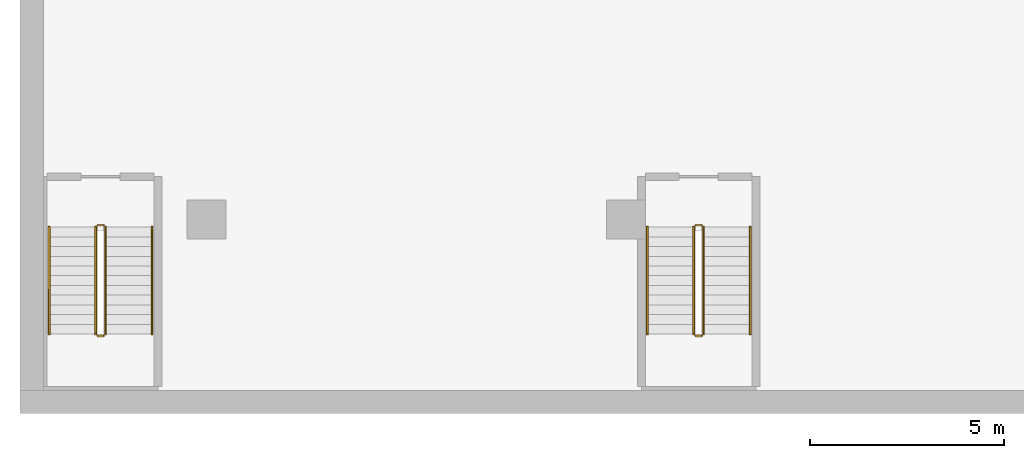
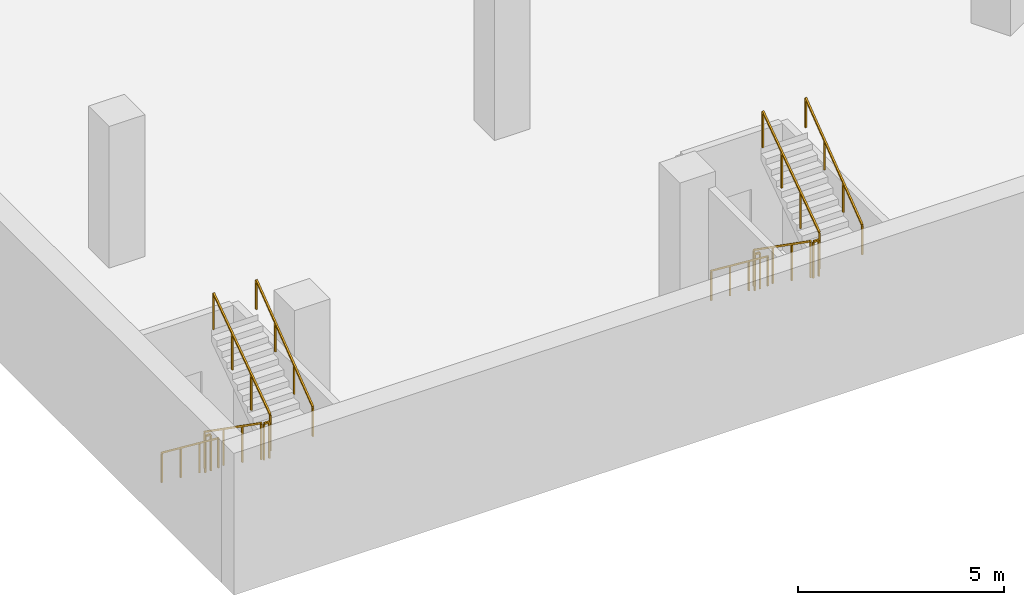
# One storey, part 15 of 20: 12 railings.
"""IFC4 building model written with IfcOpenShell, lengths in metres."""

from ifc_helpers import new_model, si_unit, direction, frame, origin, origin_2d, place, context, subcontext, project, spatial, rectangle, extrude, material, type_object, element, save


model = new_model("IFC4")

# Units and contexts
model_context = context("Model", 3, precision=1e-05, world=origin(), true_north=direction((0.0, 1.0)))
body_context = subcontext(model_context, "Body", "Model", "MODEL_VIEW")
ifc_project = project(units=[si_unit("LENGTHUNIT", "METRE"), si_unit("AREAUNIT", "SQUARE_METRE"), si_unit("VOLUMEUNIT", "CUBIC_METRE"), si_unit("PLANEANGLEUNIT", "RADIAN"), si_unit("MASSUNIT", "GRAM", prefix="KILO")], contexts=[model_context])

# Site, building, storey
site_placement = place(None, origin())
site = spatial("IfcSite", under=ifc_project, at=site_placement, CompositionType="ELEMENT")
building_placement = place(site_placement, origin())
building = spatial("IfcBuilding", under=site, at=building_placement, Name="Beryl Residences", CompositionType="ELEMENT")
storey_placement = place(building_placement, frame((0.0, 0.0, -4.199951171875)))
storey = spatial("IfcBuildingStorey", under=building, at=storey_placement, Name="B1", CompositionType="ELEMENT", Elevation=-4.199951171875)

# Railings
ifc_material_1 = material(Name="Stainless steel balustrade with glass infill", Category="steel")
railing_type_1 = type_object("IfcRailingType", Name="SG1 stair guard 1100 mm", PredefinedType="GUARDRAIL", material=ifc_material_1)
railing_1_placement = place(storey_placement, frame((-46.050048828125, -27.199951171875, 0.175048828125)))
element("IfcRailing", 1, at=railing_1_placement, inside=storey, type_object=railing_type_1, Name="B1 BS-4 stair guard 1", PredefinedType="GUARDRAIL", context=body_context, shape_type="SweptSolid", body=[
    extrude(rectangle(XDim=0.048095703125, YDim=0.048095703125, at=origin_2d()), frame((0.0, 0.0, 1.076171875), z_axis=(0.0, -0.819259255306, 0.573423292687), x_axis=(1.0, 0.0, 0.0)), (0.0, 0.0, 1.0), 3.356689453125),
    extrude(rectangle(XDim=0.0419921875, YDim=0.0419921875, at=origin_2d()), origin(), (0.0, 0.0, 1.0), 1.052001953125),
    extrude(rectangle(XDim=0.0419921875, YDim=0.0419921875, at=origin_2d()), frame((0.0, -0.916748046875, 0.6416015625)), (0.0, 0.0, 1.0), 1.052001953125),
    extrude(rectangle(XDim=0.0419921875, YDim=0.0419921875, at=origin_2d()), frame((0.0, -1.833251953125, 1.283203125)), (0.0, 0.0, 1.0), 1.052001953125),
    extrude(rectangle(XDim=0.0419921875, YDim=0.0419921875, at=origin_2d()), frame((0.0, -2.75, 1.9248046875)), (0.0, 0.0, 1.0), 1.052001953125),
])
railing_2_placement = place(storey_placement, frame((-46.0, -30.0, 2.099853515625)))
element("IfcRailing", 2, at=railing_2_placement, inside=storey, type_object=railing_type_1, Name="B1 BS-4 stair guard 2", PredefinedType="GUARDRAIL", context=body_context, shape_type="SweptSolid", body=[
    extrude(rectangle(XDim=0.048095703125, YDim=0.048095703125, at=origin_2d()), frame((0.0, 0.0, 1.076171875), z_axis=(1.0, 0.0, 0.0), x_axis=(0.0, 1.0, 0.0)), (0.0, 0.0, 1.0), 0.14990234375),
    extrude(rectangle(XDim=0.0419921875, YDim=0.0419921875, at=origin_2d()), origin(), (0.0, 0.0, 1.0), 1.052001953125),
    extrude(rectangle(XDim=0.0419921875, YDim=0.0419921875, at=origin_2d()), frame((0.14990234375, 0.0, 0.0)), (0.0, 0.0, 1.0), 1.052001953125),
])
railing_3_placement = place(storey_placement, frame((-45.800048828125, -29.949951171875, 2.27490234375)))
element("IfcRailing", 3, at=railing_3_placement, inside=storey, type_object=railing_type_1, Name="B1 BS-4 stair guard 3", PredefinedType="GUARDRAIL", context=body_context, shape_type="SweptSolid", body=[
    extrude(rectangle(XDim=0.048095703125, YDim=0.048095703125, at=origin_2d()), frame((0.0, 0.0, 1.076171875), z_axis=(0.0, 0.819225086817, 0.573472106672), x_axis=(-1.0, 0.0, 0.0)), (0.0, 0.0, 1.0), 3.35693359375),
    extrude(rectangle(XDim=0.0419921875, YDim=0.0419921875, at=origin_2d()), origin(), (0.0, 0.0, 1.0), 1.052001953125),
    extrude(rectangle(XDim=0.0419921875, YDim=0.0419921875, at=origin_2d()), frame((0.0, 0.916748046875, 0.6416015625)), (0.0, 0.0, 1.0), 1.052001953125),
    extrude(rectangle(XDim=0.0419921875, YDim=0.0419921875, at=origin_2d()), frame((0.0, 1.833251953125, 1.283447265625)), (0.0, 0.0, 1.0), 1.052001953125),
    extrude(rectangle(XDim=0.0419921875, YDim=0.0419921875, at=origin_2d()), frame((0.0, 2.75, 1.925048828125)), (0.0, 0.0, 1.0), 1.052001953125),
])
railing_4_placement = place(storey_placement, frame((-46.0, -27.14990234375, 0.0)))
element("IfcRailing", 4, at=railing_4_placement, inside=storey, type_object=railing_type_1, Name="B1 BS-4 stair guard 4", PredefinedType="GUARDRAIL", context=body_context, shape_type="SweptSolid", body=[
    extrude(rectangle(XDim=0.048095703125, YDim=0.048095703125, at=origin_2d()), frame((0.0, 0.0, 1.076171875), z_axis=(1.0, 0.0, 0.0), x_axis=(0.0, 1.0, 0.0)), (0.0, 0.0, 1.0), 0.14990234375),
    extrude(rectangle(XDim=0.0419921875, YDim=0.0419921875, at=origin_2d()), origin(), (0.0, 0.0, 1.0), 1.052001953125),
    extrude(rectangle(XDim=0.0419921875, YDim=0.0419921875, at=origin_2d()), frame((0.14990234375, 0.0, 0.0)), (0.0, 0.0, 1.0), 1.052001953125),
])
railing_5_placement = place(storey_placement, frame((-30.64990234375, -27.199951171875, 0.175048828125)))
element("IfcRailing", 5, at=railing_5_placement, inside=storey, type_object=railing_type_1, Name="B1 BS-5 stair guard 1", PredefinedType="GUARDRAIL", context=body_context, shape_type="SweptSolid", body=[
    extrude(rectangle(XDim=0.048095703125, YDim=0.048095703125, at=origin_2d()), frame((0.0, 0.0, 1.076171875), z_axis=(0.0, -0.819259255306, 0.573423292687), x_axis=(1.0, 0.0, 0.0)), (0.0, 0.0, 1.0), 3.356689453125),
    extrude(rectangle(XDim=0.0419921875, YDim=0.0419921875, at=origin_2d()), origin(), (0.0, 0.0, 1.0), 1.052001953125),
    extrude(rectangle(XDim=0.0419921875, YDim=0.0419921875, at=origin_2d()), frame((0.0, -0.916748046875, 0.6416015625)), (0.0, 0.0, 1.0), 1.052001953125),
    extrude(rectangle(XDim=0.0419921875, YDim=0.0419921875, at=origin_2d()), frame((0.0, -1.833251953125, 1.283203125)), (0.0, 0.0, 1.0), 1.052001953125),
    extrude(rectangle(XDim=0.0419921875, YDim=0.0419921875, at=origin_2d()), frame((0.0, -2.75, 1.9248046875)), (0.0, 0.0, 1.0), 1.052001953125),
])
railing_6_placement = place(storey_placement, frame((-30.60009765625, -30.0, 2.099853515625)))
element("IfcRailing", 6, at=railing_6_placement, inside=storey, type_object=railing_type_1, Name="B1 BS-5 stair guard 2", PredefinedType="GUARDRAIL", context=body_context, shape_type="SweptSolid", body=[
    extrude(rectangle(XDim=0.048095703125, YDim=0.048095703125, at=origin_2d()), frame((0.0, 0.0, 1.076171875), z_axis=(1.0, 0.0, 0.0), x_axis=(0.0, 1.0, 0.0)), (0.0, 0.0, 1.0), 0.150146484375),
    extrude(rectangle(XDim=0.0419921875, YDim=0.0419921875, at=origin_2d()), origin(), (0.0, 0.0, 1.0), 1.052001953125),
    extrude(rectangle(XDim=0.0419921875, YDim=0.0419921875, at=origin_2d()), frame((0.150146484375, 0.0, 0.0)), (0.0, 0.0, 1.0), 1.052001953125),
])
railing_7_placement = place(storey_placement, frame((-30.39990234375, -29.949951171875, 2.27490234375)))
element("IfcRailing", 7, at=railing_7_placement, inside=storey, type_object=railing_type_1, Name="B1 BS-5 stair guard 3", PredefinedType="GUARDRAIL", context=body_context, shape_type="SweptSolid", body=[
    extrude(rectangle(XDim=0.048095703125, YDim=0.048095703125, at=origin_2d()), frame((0.0, 0.0, 1.076171875), z_axis=(0.0, 0.819225086817, 0.573472106672), x_axis=(-1.0, 0.0, 0.0)), (0.0, 0.0, 1.0), 3.35693359375),
    extrude(rectangle(XDim=0.0419921875, YDim=0.0419921875, at=origin_2d()), origin(), (0.0, 0.0, 1.0), 1.052001953125),
    extrude(rectangle(XDim=0.0419921875, YDim=0.0419921875, at=origin_2d()), frame((0.0, 0.916748046875, 0.6416015625)), (0.0, 0.0, 1.0), 1.052001953125),
    extrude(rectangle(XDim=0.0419921875, YDim=0.0419921875, at=origin_2d()), frame((0.0, 1.833251953125, 1.283447265625)), (0.0, 0.0, 1.0), 1.052001953125),
    extrude(rectangle(XDim=0.0419921875, YDim=0.0419921875, at=origin_2d()), frame((0.0, 2.75, 1.925048828125)), (0.0, 0.0, 1.0), 1.052001953125),
])
railing_8_placement = place(storey_placement, frame((-30.60009765625, -27.14990234375, 0.0)))
element("IfcRailing", 8, at=railing_8_placement, inside=storey, type_object=railing_type_1, Name="B1 BS-5 stair guard 4", PredefinedType="GUARDRAIL", context=body_context, shape_type="SweptSolid", body=[
    extrude(rectangle(XDim=0.048095703125, YDim=0.048095703125, at=origin_2d()), frame((0.0, 0.0, 1.076171875), z_axis=(1.0, 0.0, 0.0), x_axis=(0.0, 1.0, 0.0)), (0.0, 0.0, 1.0), 0.150146484375),
    extrude(rectangle(XDim=0.0419921875, YDim=0.0419921875, at=origin_2d()), origin(), (0.0, 0.0, 1.0), 1.052001953125),
    extrude(rectangle(XDim=0.0419921875, YDim=0.0419921875, at=origin_2d()), frame((0.150146484375, 0.0, 0.0)), (0.0, 0.0, 1.0), 1.052001953125),
])
ifc_material_2 = material(Name="Stainless steel handrail", Category="steel")
railing_type_2 = type_object("IfcRailingType", Name="SRL1 stair handrail 900 mm", PredefinedType="HANDRAIL", material=ifc_material_2)
railing_9_placement = place(storey_placement, frame((-47.25, -27.199951171875, 0.175048828125)))
element("IfcRailing", 9, at=railing_9_placement, inside=storey, type_object=railing_type_2, Name="B1 BS-4 stair handrail 1", PredefinedType="HANDRAIL", context=body_context, shape_type="SweptSolid", body=[
    extrude(rectangle(XDim=0.048095703125, YDim=0.048095703125, at=origin_2d()), frame((0.0, 0.0, 0.8759765625), z_axis=(0.0, -0.794788234485, 0.606886861222), x_axis=(1.0, 0.0, 0.0)), (0.0, 0.0, 1.0), 3.4599609375),
    extrude(rectangle(XDim=0.0419921875, YDim=0.0419921875, at=origin_2d()), origin(), (0.0, 0.0, 1.0), 0.851806640625),
    extrude(rectangle(XDim=0.0419921875, YDim=0.0419921875, at=origin_2d()), frame((0.0, -0.916748046875, 0.699951171875)), (0.0, 0.0, 1.0), 0.851806640625),
    extrude(rectangle(XDim=0.0419921875, YDim=0.0419921875, at=origin_2d()), frame((0.0, -1.833251953125, 1.39990234375)), (0.0, 0.0, 1.0), 0.851806640625),
    extrude(rectangle(XDim=0.0419921875, YDim=0.0419921875, at=origin_2d()), frame((0.0, -2.75, 2.099853515625)), (0.0, 0.0, 1.0), 0.851806640625),
])
railing_10_placement = place(storey_placement, frame((-44.60009765625, -29.949951171875, 2.27490234375)))
element("IfcRailing", 10, at=railing_10_placement, inside=storey, type_object=railing_type_2, Name="B1 BS-4 stair handrail 2", PredefinedType="HANDRAIL", context=body_context, shape_type="SweptSolid", body=[
    extrude(rectangle(XDim=0.048095703125, YDim=0.048095703125, at=origin_2d()), frame((0.0, 0.0, 0.8759765625), z_axis=(0.0, 0.794754200304, 0.60693143031), x_axis=(-1.0, 0.0, 0.0)), (0.0, 0.0, 1.0), 3.460205078125),
    extrude(rectangle(XDim=0.0419921875, YDim=0.0419921875, at=origin_2d()), origin(), (0.0, 0.0, 1.0), 0.851806640625),
    extrude(rectangle(XDim=0.0419921875, YDim=0.0419921875, at=origin_2d()), frame((0.0, 0.916748046875, 0.699951171875)), (0.0, 0.0, 1.0), 0.851806640625),
    extrude(rectangle(XDim=0.0419921875, YDim=0.0419921875, at=origin_2d()), frame((0.0, 1.833251953125, 1.400146484375)), (0.0, 0.0, 1.0), 0.851806640625),
    extrude(rectangle(XDim=0.0419921875, YDim=0.0419921875, at=origin_2d()), frame((0.0, 2.75, 2.10009765625)), (0.0, 0.0, 1.0), 0.851806640625),
])
railing_11_placement = place(storey_placement, frame((-31.85009765625, -27.199951171875, 0.175048828125)))
element("IfcRailing", 11, at=railing_11_placement, inside=storey, type_object=railing_type_2, Name="B1 BS-5 stair handrail 1", PredefinedType="HANDRAIL", context=body_context, shape_type="SweptSolid", body=[
    extrude(rectangle(XDim=0.048095703125, YDim=0.048095703125, at=origin_2d()), frame((0.0, 0.0, 0.8759765625), z_axis=(0.0, -0.794788234485, 0.606886861222), x_axis=(1.0, 0.0, 0.0)), (0.0, 0.0, 1.0), 3.4599609375),
    extrude(rectangle(XDim=0.0419921875, YDim=0.0419921875, at=origin_2d()), origin(), (0.0, 0.0, 1.0), 0.851806640625),
    extrude(rectangle(XDim=0.0419921875, YDim=0.0419921875, at=origin_2d()), frame((0.0, -0.916748046875, 0.699951171875)), (0.0, 0.0, 1.0), 0.851806640625),
    extrude(rectangle(XDim=0.0419921875, YDim=0.0419921875, at=origin_2d()), frame((0.0, -1.833251953125, 1.39990234375)), (0.0, 0.0, 1.0), 0.851806640625),
    extrude(rectangle(XDim=0.0419921875, YDim=0.0419921875, at=origin_2d()), frame((0.0, -2.75, 2.099853515625)), (0.0, 0.0, 1.0), 0.851806640625),
])
railing_12_placement = place(storey_placement, frame((-29.199951171875, -29.949951171875, 2.27490234375)))
element("IfcRailing", 12, at=railing_12_placement, inside=storey, type_object=railing_type_2, Name="B1 BS-5 stair handrail 2", PredefinedType="HANDRAIL", context=body_context, shape_type="SweptSolid", body=[
    extrude(rectangle(XDim=0.048095703125, YDim=0.048095703125, at=origin_2d()), frame((0.0, 0.0, 0.8759765625), z_axis=(0.0, 0.794754200304, 0.60693143031), x_axis=(-1.0, 0.0, 0.0)), (0.0, 0.0, 1.0), 3.460205078125),
    extrude(rectangle(XDim=0.0419921875, YDim=0.0419921875, at=origin_2d()), origin(), (0.0, 0.0, 1.0), 0.851806640625),
    extrude(rectangle(XDim=0.0419921875, YDim=0.0419921875, at=origin_2d()), frame((0.0, 0.916748046875, 0.699951171875)), (0.0, 0.0, 1.0), 0.851806640625),
    extrude(rectangle(XDim=0.0419921875, YDim=0.0419921875, at=origin_2d()), frame((0.0, 1.833251953125, 1.400146484375)), (0.0, 0.0, 1.0), 0.851806640625),
    extrude(rectangle(XDim=0.0419921875, YDim=0.0419921875, at=origin_2d()), frame((0.0, 2.75, 2.10009765625)), (0.0, 0.0, 1.0), 0.851806640625),
])

save(model, "model.ifc")
